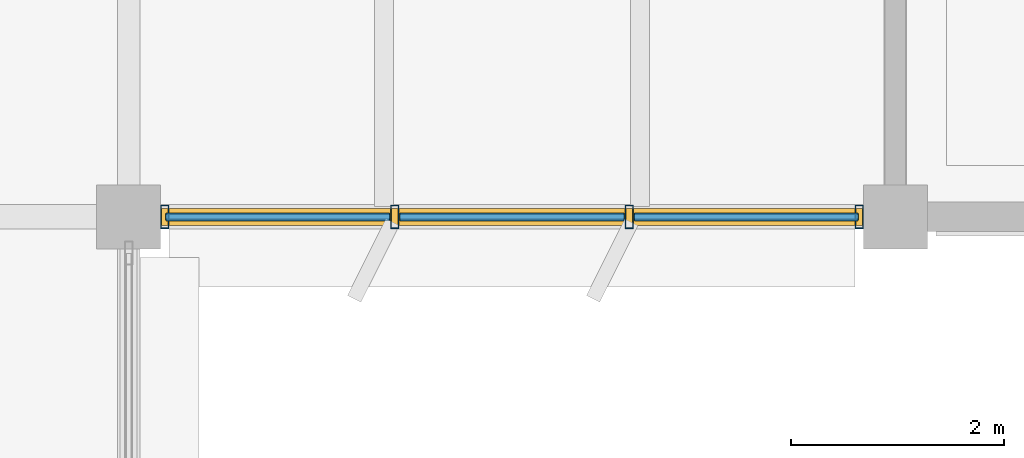
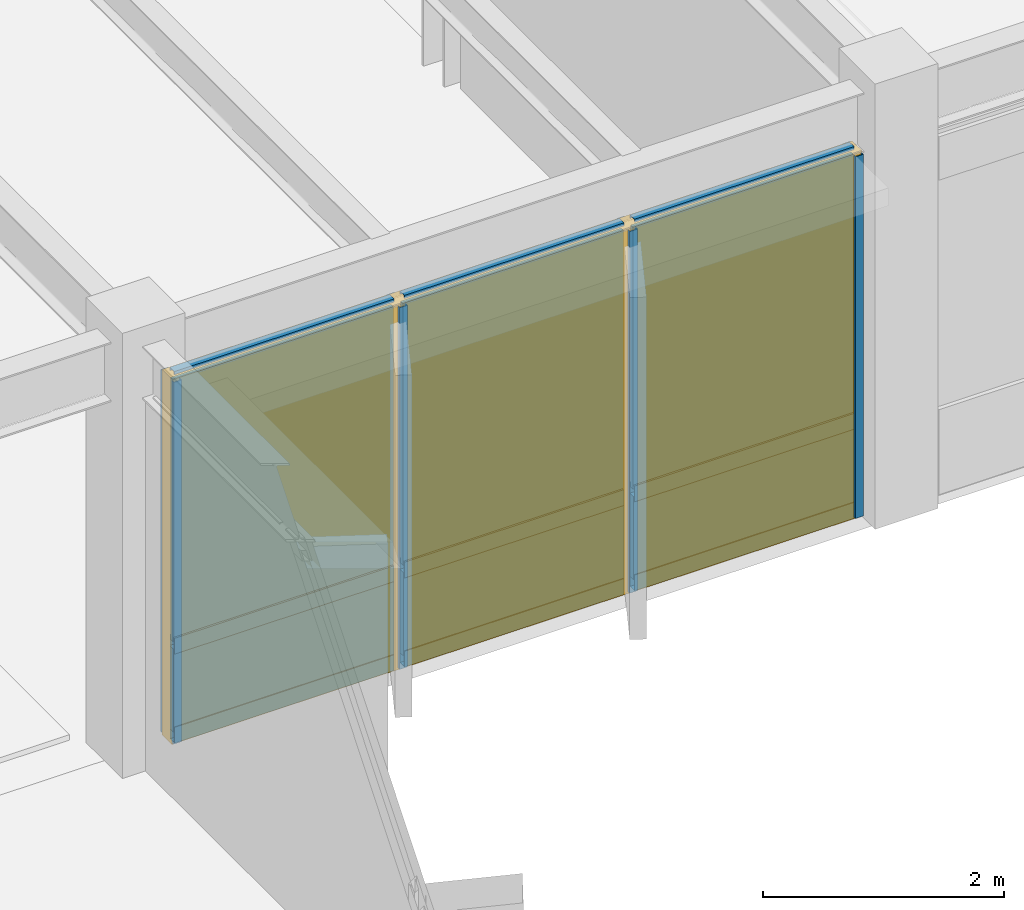
# One storey, part 57 of 92: 13 members, 6 plates, 1 curtain wall.
"""IFC4 building model written with IfcOpenShell, lengths in metres."""

from ifc_helpers import new_model, si_unit, direction, frame, origin, origin_2d, place, context, subcontext, project, spatial, rectangle, hollow_rectangle, extrude, material, layer, layer_set, material_profile, profile_set, type_object, element, aggregate, save


model = new_model("IFC4")

# Units and contexts
model_context = context("Model", 3, precision=1e-05, world=origin(), true_north=direction((0.0, 1.0)))
body_context = subcontext(model_context, "Body", "Model", "MODEL_VIEW")
ifc_project = project(units=[si_unit("LENGTHUNIT", "METRE"), si_unit("AREAUNIT", "SQUARE_METRE"), si_unit("VOLUMEUNIT", "CUBIC_METRE"), si_unit("PLANEANGLEUNIT", "RADIAN"), si_unit("MASSUNIT", "GRAM", prefix="KILO")], contexts=[model_context])

# Member
ifc_material_1 = material(Name="Anodized Aluminium 6063-T6", Category="aluminium")
ifc_material_profile_1 = material_profile(ifc_material_1, hollow_rectangle(XDim=0.074951171875, YDim=0.219970703125, WallThickness=0.0048828125, at=origin_2d()), Name="ALU 75x220x5")
ifc_profile_set_1 = profile_set([ifc_material_profile_1], Name="Anodized Aluminium 6063-T6")
member_type_1 = type_object("IfcMemberType", Name="CWM-75X180", PredefinedType="MULLION", material=ifc_profile_set_1)
site_placement = place(None, origin())
building_placement = place(site_placement, origin())
storey_placement = place(building_placement, frame((0.0, 0.0, 5.39990234375)))
member_1_placement = place(storey_placement, frame((42.860107421875, 79.199951171875, 0.02001953125), z_axis=(0.0, 0.0, 1.0), x_axis=(1.0, 0.0, 0.0)))
member_1 = element("IfcMember", 1, at=member_1_placement, type_object=member_type_1, Name="Curtain wall mullion CW-L02-05-11-S-00", PredefinedType="MULLION", context=body_context, shape_type="SweptSolid", body=[
    extrude(hollow_rectangle(XDim=0.074951171875, YDim=0.219970703125, WallThickness=0.0048828125, at=origin_2d()), origin(), (0.0, 0.0, 1.0), 3.657958984375),
])

member_2_placement = place(storey_placement, frame((40.699951171875, 79.199951171875, 0.02001953125), z_axis=(0.0, 0.0, 1.0), x_axis=(1.0, 0.0, 0.0)))
member_2 = element("IfcMember", 2, at=member_2_placement, type_object=member_type_1, Name="Curtain wall mullion CW-L02-05-11-S-01", PredefinedType="MULLION", context=body_context, shape_type="SweptSolid", body=[
    extrude(hollow_rectangle(XDim=0.074951171875, YDim=0.219970703125, WallThickness=0.0048828125, at=origin_2d()), origin(), (0.0, 0.0, 1.0), 3.657958984375),
])

member_3_placement = place(storey_placement, frame((38.5, 79.199951171875, 0.02001953125), z_axis=(0.0, 0.0, 1.0), x_axis=(1.0, 0.0, 0.0)))
member_3 = element("IfcMember", 3, at=member_3_placement, type_object=member_type_1, Name="Curtain wall mullion CW-L02-05-11-S-02", PredefinedType="MULLION", context=body_context, shape_type="SweptSolid", body=[
    extrude(hollow_rectangle(XDim=0.074951171875, YDim=0.219970703125, WallThickness=0.0048828125, at=origin_2d()), origin(), (0.0, 0.0, 1.0), 3.657958984375),
])

member_4_placement = place(storey_placement, frame((36.340087890625, 79.199951171875, 0.02001953125), z_axis=(0.0, 0.0, 1.0), x_axis=(1.0, 0.0, 0.0)))
member_4 = element("IfcMember", 4, at=member_4_placement, type_object=member_type_1, Name="Curtain wall mullion CW-L02-05-11-S-03", PredefinedType="MULLION", context=body_context, shape_type="SweptSolid", body=[
    extrude(hollow_rectangle(XDim=0.074951171875, YDim=0.219970703125, WallThickness=0.0048828125, at=origin_2d()), origin(), (0.0, 0.0, 1.0), 3.657958984375),
])

ifc_material_profile_2 = material_profile(ifc_material_1, hollow_rectangle(XDim=0.074951171875, YDim=0.159912109375, WallThickness=0.00390625, at=origin_2d()), Name="ALU 75x160x4")
ifc_profile_set_2 = profile_set([ifc_material_profile_2], Name="Anodized Aluminium 6063-T6")
member_type_2 = type_object("IfcMemberType", Name="CWT-75X150", PredefinedType="USERDEFINED", material=ifc_profile_set_2)
member_5_placement = place(storey_placement, frame((42.85009765625, 79.199951171875, 0.050048828125), z_axis=(-1.0, 0.0, 0.0), x_axis=(0.0, -1.0, 0.0)))
member_5 = element("IfcMember", 5, at=member_5_placement, type_object=member_type_2, Name="Curtain wall transom CW-L02-05-11-S-1.01", ObjectType="TRANSOM", PredefinedType="USERDEFINED", context=body_context, shape_type="SweptSolid", body=[
    extrude(hollow_rectangle(XDim=0.074951171875, YDim=0.159912109375, WallThickness=0.00390625, at=origin_2d()), origin(), (0.0, 0.0, 1.0), 2.10009765625),
])

member_6_placement = place(storey_placement, frame((40.64990234375, 79.199951171875, 0.050048828125), z_axis=(-1.0, 0.0, 0.0), x_axis=(0.0, -1.0, 0.0)))
member_6 = element("IfcMember", 6, at=member_6_placement, type_object=member_type_2, Name="Curtain wall transom CW-L02-05-11-S-1.02", ObjectType="TRANSOM", PredefinedType="USERDEFINED", context=body_context, shape_type="SweptSolid", body=[
    extrude(hollow_rectangle(XDim=0.074951171875, YDim=0.159912109375, WallThickness=0.00390625, at=origin_2d()), origin(), (0.0, 0.0, 1.0), 2.099853515625),
])

member_7_placement = place(storey_placement, frame((38.449951171875, 79.199951171875, 0.050048828125), z_axis=(-1.0, 0.0, 0.0), x_axis=(0.0, -1.0, 0.0)))
member_7 = element("IfcMember", 7, at=member_7_placement, type_object=member_type_2, Name="Curtain wall transom CW-L02-05-11-S-1.03", ObjectType="TRANSOM", PredefinedType="USERDEFINED", context=body_context, shape_type="SweptSolid", body=[
    extrude(hollow_rectangle(XDim=0.074951171875, YDim=0.159912109375, WallThickness=0.00390625, at=origin_2d()), origin(), (0.0, 0.0, 1.0), 2.099853515625),
])

member_8_placement = place(storey_placement, frame((42.85009765625, 79.199951171875, 0.9501953125), z_axis=(-1.0, 0.0, 0.0), x_axis=(0.0, -1.0, 0.0)))
member_8 = element("IfcMember", 8, at=member_8_placement, type_object=member_type_2, Name="Curtain wall transom CW-L02-05-11-S-2.01", ObjectType="TRANSOM", PredefinedType="USERDEFINED", context=body_context, shape_type="SweptSolid", body=[
    extrude(hollow_rectangle(XDim=0.074951171875, YDim=0.159912109375, WallThickness=0.00390625, at=origin_2d()), origin(), (0.0, 0.0, 1.0), 2.10009765625),
])

member_9_placement = place(storey_placement, frame((40.64990234375, 79.199951171875, 0.9501953125), z_axis=(-1.0, 0.0, 0.0), x_axis=(0.0, -1.0, 0.0)))
member_9 = element("IfcMember", 9, at=member_9_placement, type_object=member_type_2, Name="Curtain wall transom CW-L02-05-11-S-2.02", ObjectType="TRANSOM", PredefinedType="USERDEFINED", context=body_context, shape_type="SweptSolid", body=[
    extrude(hollow_rectangle(XDim=0.074951171875, YDim=0.159912109375, WallThickness=0.00390625, at=origin_2d()), origin(), (0.0, 0.0, 1.0), 2.099853515625),
])

member_10_placement = place(storey_placement, frame((38.449951171875, 79.199951171875, 0.9501953125), z_axis=(-1.0, 0.0, 0.0), x_axis=(0.0, -1.0, 0.0)))
member_10 = element("IfcMember", 10, at=member_10_placement, type_object=member_type_2, Name="Curtain wall transom CW-L02-05-11-S-2.03", ObjectType="TRANSOM", PredefinedType="USERDEFINED", context=body_context, shape_type="SweptSolid", body=[
    extrude(hollow_rectangle(XDim=0.074951171875, YDim=0.159912109375, WallThickness=0.00390625, at=origin_2d()), origin(), (0.0, 0.0, 1.0), 2.099853515625),
])

member_11_placement = place(storey_placement, frame((42.85009765625, 79.199951171875, 3.648193359375), z_axis=(-1.0, 0.0, 0.0), x_axis=(0.0, -1.0, 0.0)))
member_11 = element("IfcMember", 11, at=member_11_placement, type_object=member_type_2, Name="Curtain wall transom CW-L02-05-11-S-3.01", ObjectType="TRANSOM", PredefinedType="USERDEFINED", context=body_context, shape_type="SweptSolid", body=[
    extrude(hollow_rectangle(XDim=0.074951171875, YDim=0.159912109375, WallThickness=0.00390625, at=origin_2d()), origin(), (0.0, 0.0, 1.0), 2.10009765625),
])

member_12_placement = place(storey_placement, frame((40.64990234375, 79.199951171875, 3.648193359375), z_axis=(-1.0, 0.0, 0.0), x_axis=(0.0, -1.0, 0.0)))
member_12 = element("IfcMember", 12, at=member_12_placement, type_object=member_type_2, Name="Curtain wall transom CW-L02-05-11-S-3.02", ObjectType="TRANSOM", PredefinedType="USERDEFINED", context=body_context, shape_type="SweptSolid", body=[
    extrude(hollow_rectangle(XDim=0.074951171875, YDim=0.159912109375, WallThickness=0.00390625, at=origin_2d()), origin(), (0.0, 0.0, 1.0), 2.099853515625),
])

member_13_placement = place(storey_placement, frame((38.449951171875, 79.199951171875, 3.648193359375), z_axis=(-1.0, 0.0, 0.0), x_axis=(0.0, -1.0, 0.0)))
member_13 = element("IfcMember", 13, at=member_13_placement, type_object=member_type_2, Name="Curtain wall transom CW-L02-05-11-S-3.03", ObjectType="TRANSOM", PredefinedType="USERDEFINED", context=body_context, shape_type="SweptSolid", body=[
    extrude(hollow_rectangle(XDim=0.074951171875, YDim=0.159912109375, WallThickness=0.00390625, at=origin_2d()), origin(), (0.0, 0.0, 1.0), 2.099853515625),
])

# Plate
ifc_material_2 = material(Name="Acoustic Laminated Low-E Glazing", Category="glass")
ifc_layer_1 = layer(ifc_material_2, 0.0439453125)
ifc_layer_set_1 = layer_set([ifc_layer_1], Name="Acoustic Laminated Low-E Glazing")
plate_type_1 = type_object("IfcPlateType", Name="CWP-IGU-44", PredefinedType="CURTAIN_PANEL", material=ifc_layer_set_1)
plate_1_placement = place(storey_placement, frame((41.800048828125, 79.199951171875, 0.990234375), z_axis=(0.0, 0.0, 1.0), x_axis=(-1.0, 0.0, 0.0)))
plate_1 = element("IfcPlate", 14, at=plate_1_placement, type_object=plate_type_1, Name="Curtain wall vision glazing CW-L02-05-11-S-01", PredefinedType="CURTAIN_PANEL", context=body_context, shape_type="SweptSolid", body=[
    extrude(rectangle(XDim=2.110107421875, YDim=0.0400390625, at=origin_2d()), origin(), (0.0, 0.0, 1.0), 2.64794921875),
])

plate_2_placement = place(storey_placement, frame((39.60009765625, 79.199951171875, 0.990234375), z_axis=(0.0, 0.0, 1.0), x_axis=(-1.0, 0.0, 0.0)))
plate_2 = element("IfcPlate", 15, at=plate_2_placement, type_object=plate_type_1, Name="Curtain wall vision glazing CW-L02-05-11-S-02", PredefinedType="CURTAIN_PANEL", context=body_context, shape_type="SweptSolid", body=[
    extrude(rectangle(XDim=2.110107421875, YDim=0.0400390625, at=origin_2d()), origin(), (0.0, 0.0, 1.0), 2.64794921875),
])

plate_3_placement = place(storey_placement, frame((37.39990234375, 79.199951171875, 0.990234375), z_axis=(0.0, 0.0, 1.0), x_axis=(-1.0, 0.0, 0.0)))
plate_3 = element("IfcPlate", 16, at=plate_3_placement, type_object=plate_type_1, Name="Curtain wall vision glazing CW-L02-05-11-S-03", PredefinedType="CURTAIN_PANEL", context=body_context, shape_type="SweptSolid", body=[
    extrude(rectangle(XDim=2.110107421875, YDim=0.0400390625, at=origin_2d()), origin(), (0.0, 0.0, 1.0), 2.64794921875),
])

ifc_material_3 = material(Name="Insulated Stone-Composite Spandrel", Category="masonry")
ifc_layer_2 = layer(ifc_material_3, 0.068115234375)
ifc_layer_set_2 = layer_set([ifc_layer_2], Name="Insulated Stone-Composite Spandrel")
plate_type_2 = type_object("IfcPlateType", Name="CWP-SPN-68", PredefinedType="CURTAIN_PANEL", material=ifc_layer_set_2)
plate_4_placement = place(storey_placement, frame((41.800048828125, 79.199951171875, 0.080078125), z_axis=(0.0, 0.0, 1.0), x_axis=(-1.0, 0.0, 0.0)))
plate_4 = element("IfcPlate", 17, at=plate_4_placement, type_object=plate_type_2, Name="Curtain wall spandrel panel CW-L02-05-11-S-01", PredefinedType="CURTAIN_PANEL", context=body_context, shape_type="SweptSolid", body=[
    extrude(rectangle(XDim=2.110107421875, YDim=0.06005859375, at=origin_2d()), origin(), (0.0, 0.0, 1.0), 0.840087890625),
])

plate_5_placement = place(storey_placement, frame((39.60009765625, 79.199951171875, 0.080078125), z_axis=(0.0, 0.0, 1.0), x_axis=(-1.0, 0.0, 0.0)))
plate_5 = element("IfcPlate", 18, at=plate_5_placement, type_object=plate_type_2, Name="Curtain wall spandrel panel CW-L02-05-11-S-02", PredefinedType="CURTAIN_PANEL", context=body_context, shape_type="SweptSolid", body=[
    extrude(rectangle(XDim=2.110107421875, YDim=0.06005859375, at=origin_2d()), origin(), (0.0, 0.0, 1.0), 0.840087890625),
])

plate_6_placement = place(storey_placement, frame((37.39990234375, 79.199951171875, 0.080078125), z_axis=(0.0, 0.0, 1.0), x_axis=(-1.0, 0.0, 0.0)))
plate_6 = element("IfcPlate", 19, at=plate_6_placement, type_object=plate_type_2, Name="Curtain wall spandrel panel CW-L02-05-11-S-03", PredefinedType="CURTAIN_PANEL", context=body_context, shape_type="SweptSolid", body=[
    extrude(rectangle(XDim=2.110107421875, YDim=0.06005859375, at=origin_2d()), origin(), (0.0, 0.0, 1.0), 0.840087890625),
])

# Site, building, storey
site = spatial("IfcSite", under=ifc_project, at=site_placement, CompositionType="ELEMENT")
building = spatial("IfcBuilding", under=site, at=building_placement, Name="Sillqori Civic Hall", CompositionType="ELEMENT")
storey = spatial("IfcBuildingStorey", under=building, at=storey_placement, Name="L02", CompositionType="ELEMENT", Elevation=5.39990234375)

# Curtain wall
ifc_material_4 = material(Name="Anodized Aluminium Curtain Wall System", Category="aluminium")
curtain_wall_type = type_object("IfcCurtainWallType", Name="CW-GL-430", PredefinedType="NOTDEFINED", material=ifc_material_4)
curtain_wall_placement = place(storey_placement, frame((39.60009765625, 79.199951171875, 0.0), z_axis=(0.0, 0.0, 1.0), x_axis=(-1.0, 0.0, 0.0)))
curtain_wall = element("IfcCurtainWall", 20, at=curtain_wall_placement, inside=storey, type_object=curtain_wall_type, Name="L02 unitised curtain wall CW-L02-05-11-S", PredefinedType="NOTDEFINED", context=body_context, shape_type="SweptSolid", body=[
    extrude(rectangle(XDim=6.60009765625, YDim=0.159912109375, at=origin_2d()), origin(), (0.0, 0.0, 1.0), 3.697998046875),
])

aggregate(curtain_wall, [member_1, member_2, member_3, member_4, member_5, member_6, member_7, member_8, member_9, member_10, member_11, member_12, member_13, plate_4, plate_1, plate_5, plate_2, plate_6, plate_3])

save(model, "model.ifc")
